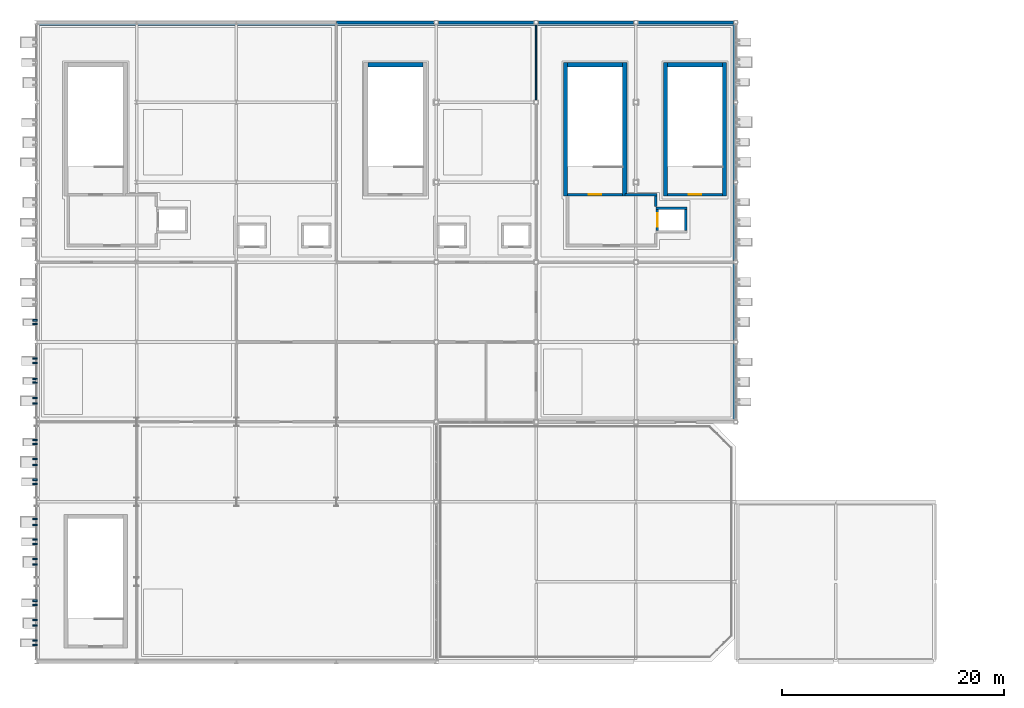
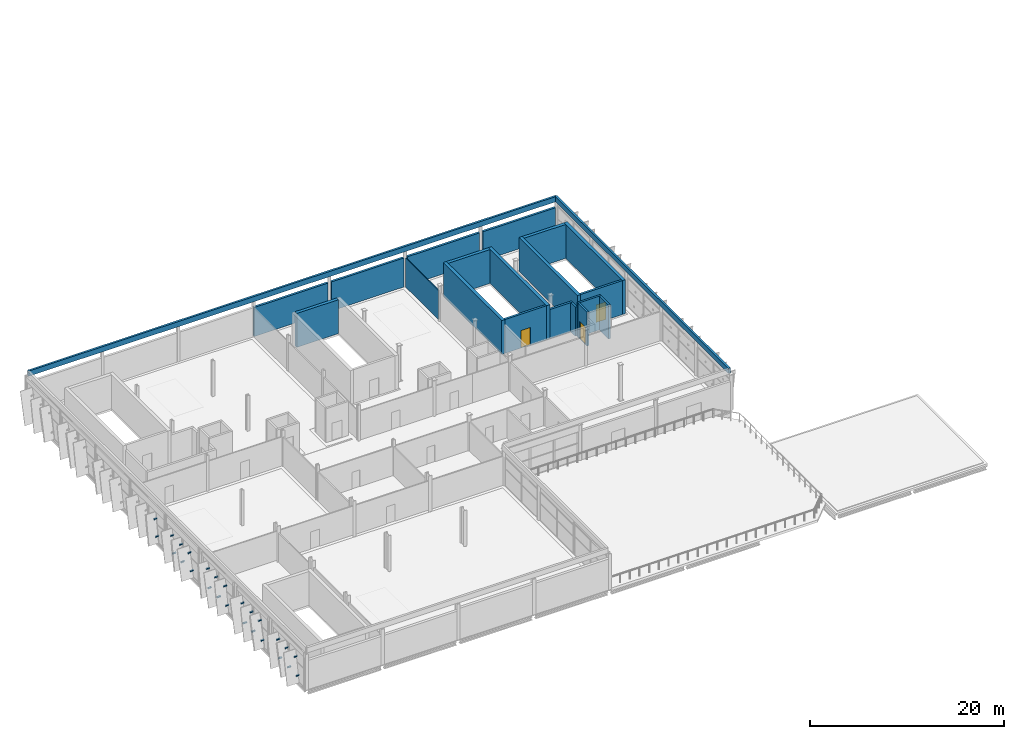
# One storey, part 48 of 52: 26 discrete accessories, 21 walls, 3 doors, 3 openings.
"""IFC4 building model written with IfcOpenShell, lengths in metres."""

from ifc_helpers import new_model, si_unit, direction, frame, frame_2d, origin, origin_2d, place, context, subcontext, project, spatial, rectangle, extrude, material, layer, layer_set, type_object, element, fill, save


model = new_model("IFC4")

# Units and contexts
model_context = context("Model", 3, precision=1e-05, world=origin(), true_north=direction((0.0, 1.0)))
body_context = subcontext(model_context, "Body", "Model", "MODEL_VIEW")
ifc_project = project(units=[si_unit("LENGTHUNIT", "METRE"), si_unit("AREAUNIT", "SQUARE_METRE"), si_unit("VOLUMEUNIT", "CUBIC_METRE"), si_unit("PLANEANGLEUNIT", "RADIAN"), si_unit("MASSUNIT", "GRAM", prefix="KILO")], contexts=[model_context])

# Site, building, storey
site_placement = place(None, origin())
site = spatial("IfcSite", under=ifc_project, at=site_placement, CompositionType="ELEMENT")
building_placement = place(site_placement, origin())
building = spatial("IfcBuilding", under=site, at=building_placement, Name="Celestram Park Convention Centre", CompositionType="ELEMENT")
storey_placement = place(building_placement, frame((0.0, 0.0, 24.300048828125)))
storey = spatial("IfcBuildingStorey", under=building, at=storey_placement, Name="L05", CompositionType="ELEMENT", Elevation=24.300048828125)

# Wall, opening, door
ifc_material_1 = material(Name="Concrete Block Masonry C25/30", Category="masonry")
ifc_layer_1 = layer(ifc_material_1, 0.25)
ifc_layer_set_1 = layer_set([ifc_layer_1], Name="Concrete Block Masonry C25/30")
wall_type_1 = type_object("IfcWallType", Name="ARC-WL-COR250", PredefinedType="STANDARD", material=ifc_layer_set_1)
wall_1_placement = place(storey_placement, frame((83.840087890625, 150.074951171875, 0.0), z_axis=(0.0, 0.0, 1.0), x_axis=(1.0, 0.0, 0.0)))
wall_1 = element("IfcWall", 1, at=wall_1_placement, inside=storey, type_object=wall_type_1, Name="Core C2 stair entrance wall", PredefinedType="STANDARD", context=body_context, shape_type="SweptSolid", body=[
    extrude(rectangle(XDim=4.9599609375, YDim=0.25, at=frame_2d((2.47998046875, 0.0))), origin(), (0.0, 0.0, 1.0), 4.260009765625),
])
opening_1_placement = place(wall_1_placement, frame((1.905029296875, 0.0, 0.0)))
opening_1 = element("IfcOpeningElement", 2, at=opening_1_placement, cuts=wall_1, Name="Opening D-ST1", PredefinedType="OPENING", context=body_context, shape_type="SweptSolid", body=[
    extrude(rectangle(XDim=1.14990234375, YDim=2.199951171875, at=frame_2d((0.574951171875, 1.10009765625))), frame((0.0, 0.135009765625, 0.0), z_axis=(0.0, -1.0, 0.0), x_axis=(1.0, 0.0, 0.0)), (0.0, 0.0, 1.0), 0.27001953125),
])
ifc_material_2 = material(Name="Fire-Rated Hollow Metal Steel ASTM A653", Category="steel")
door_type_1 = type_object("IfcDoorType", Name="ARC-DR-ST115", OperationType="NOTDEFINED", PredefinedType="DOOR", material=ifc_material_2)
door_1_placement = place(opening_1_placement, origin())
door_1 = element("IfcDoor", 3, at=door_1_placement, inside=storey, type_object=door_type_1, Name="Exit stair ST-02 fire door", OperationType="SINGLE_SWING_RIGHT", OverallHeight=2.199951171875, OverallWidth=1.14990234375, PredefinedType="DOOR", context=body_context, shape_type="SweptSolid", body=[
    extrude(rectangle(XDim=1.14990234375, YDim=2.199951171875, at=frame_2d((0.574951171875, 1.10009765625))), frame((0.0, 0.02490234375, 0.0), z_axis=(0.0, -1.0, 0.0), x_axis=(1.0, 0.0, 0.0)), (0.0, 0.0, 1.0), 0.050048828125),
])
fill(opening_1, door_1)

wall_2_placement = place(storey_placement, frame((92.840087890625, 150.074951171875, 0.0), z_axis=(0.0, 0.0, 1.0), x_axis=(1.0, 0.0, 0.0)))
wall_2 = element("IfcWall", 4, at=wall_2_placement, inside=storey, type_object=wall_type_1, Name="Core S19 stair entrance wall", PredefinedType="STANDARD", context=body_context, shape_type="SweptSolid", body=[
    extrude(rectangle(XDim=4.9599609375, YDim=0.25, at=frame_2d((2.47998046875, 0.0))), origin(), (0.0, 0.0, 1.0), 4.260009765625),
])
opening_2_placement = place(wall_2_placement, frame((1.905029296875, 0.0, 0.0)))
opening_2 = element("IfcOpeningElement", 5, at=opening_2_placement, cuts=wall_2, Name="Opening D-ST1", PredefinedType="OPENING", context=body_context, shape_type="SweptSolid", body=[
    extrude(rectangle(XDim=1.14990234375, YDim=2.199951171875, at=frame_2d((0.574951171875, 1.10009765625))), frame((0.0, 0.135009765625, 0.0), z_axis=(0.0, -1.0, 0.0), x_axis=(1.0, 0.0, 0.0)), (0.0, 0.0, 1.0), 0.27001953125),
])
door_2_placement = place(opening_2_placement, origin())
door_2 = element("IfcDoor", 6, at=door_2_placement, inside=storey, type_object=door_type_1, Name="Exit stair ST-19 fire door", OperationType="SINGLE_SWING_LEFT", OverallHeight=2.199951171875, OverallWidth=1.14990234375, PredefinedType="DOOR", context=body_context, shape_type="SweptSolid", body=[
    extrude(rectangle(XDim=1.14990234375, YDim=2.199951171875, at=frame_2d((0.574951171875, 1.10009765625))), frame((0.0, 0.02490234375, 0.0), z_axis=(0.0, -1.0, 0.0), x_axis=(1.0, 0.0, 0.0)), (0.0, 0.0, 1.0), 0.050048828125),
])
fill(opening_2, door_2)

# Walls
wall_3_placement = place(storey_placement, frame((91.780029296875, 149.0, 0.0), z_axis=(0.0, 0.0, 1.0), x_axis=(0.0, 1.0, 0.0)))
element("IfcWall", 7, at=wall_3_placement, inside=storey, type_object=wall_type_1, Name="Firefighting Lift Lobby C2 EN wall", PredefinedType="STANDARD", context=body_context, shape_type="SweptSolid", body=[
    extrude(rectangle(XDim=0.949951171875, YDim=0.25, at=frame_2d((0.47509765625, 0.0))), origin(), (0.0, 0.0, 1.0), 3.64794921875),
])
wall_4_placement = place(storey_placement, frame((89.0, 150.074951171875, 0.0), z_axis=(0.0, 0.0, 1.0), x_axis=(1.0, 0.0, 0.0)))
element("IfcWall", 8, at=wall_4_placement, inside=storey, type_object=wall_type_1, Name="Firefighting Lift Lobby C2 N wall", PredefinedType="STANDARD", context=body_context, shape_type="SweptSolid", body=[
    extrude(rectangle(XDim=2.905029296875, YDim=0.25, at=frame_2d((1.45263671875, 0.0))), origin(), (0.0, 0.0, 1.0), 3.64794921875),
])
ifc_material_3 = material(Name="Precast Concrete C40/50", Category="concrete")
ifc_layer_2 = layer(ifc_material_3, 0.260009765625)
ifc_layer_set_2 = layer_set([ifc_layer_2], Name="Precast Concrete C40/50")
wall_type_2 = type_object("IfcWallType", Name="ARC-WL-EXT260", PredefinedType="STANDARD", material=ifc_layer_set_2)
wall_5_placement = place(storey_placement, frame((63.0048828125, 165.60009765625, 0.0), z_axis=(0.0, 0.0, 1.0), x_axis=(1.0, 0.0, 0.0)))
element("IfcWall", 9, at=wall_5_placement, inside=storey, type_object=wall_type_2, Name="Bush-hammered precast exterior wall WL-L05-EW242", PredefinedType="STANDARD", context=body_context, shape_type="SweptSolid", body=[
    extrude(rectangle(XDim=8.796142578125, YDim=0.260009765625, at=frame_2d((4.39794921875, 0.0))), origin(), (0.0, 0.0, 1.0), 3.64794921875),
])
for number, where, z_axis, x_axis, name in (
    (10, (72.198974609375, 165.60009765625, 0.0), (0.0, 0.0, 1.0), (1.0, 0.0, 0.0), "Bush-hammered precast exterior wall WL-L05-EW243"),
    (11, (81.198974609375, 165.60009765625, 0.0), (0.0, 0.0, 1.0), (1.0, 0.0, 0.0), "Bush-hammered precast exterior wall WL-L05-EW244"),
    (12, (90.198974609375, 165.60009765625, 0.0), (0.0, 0.0, 1.0), (1.0, 0.0, 0.0), "Bush-hammered precast exterior wall WL-L05-EW245"),
):
    element("IfcWall", number, at=place(storey_placement, frame(where, z_axis=z_axis, x_axis=x_axis)), inside=storey, type_object=wall_type_2, Name=name, PredefinedType="STANDARD", context=body_context, shape_type="SweptSolid", body=[
        extrude(rectangle(XDim=8.60205078125, YDim=0.260009765625, at=frame_2d((4.301025390625, 0.0))), origin(), (0.0, 0.0, 1.0), 3.64794921875),
    ])
ifc_layer_3 = layer(ifc_material_3, 0.239990234375)
ifc_layer_set_3 = layer_set([ifc_layer_3], Name="Precast Concrete C40/50")
wall_type_3 = type_object("IfcWallType", Name="ARC-WL-PAR240", PredefinedType="PARAPET", material=ifc_layer_set_3)
wall_6_placement = place(storey_placement, frame((36.139892578125, 165.4599609375, 4.5), z_axis=(0.0, 0.0, 1.0), x_axis=(1.0, 0.0, 0.0)))
element("IfcWall", 13, at=wall_6_placement, inside=storey, type_object=wall_type_3, Name="Flat roof parapet WL-L05-PR15", PredefinedType="PARAPET", context=body_context, shape_type="SweptSolid", body=[
    extrude(rectangle(XDim=62.72021484375, YDim=0.239990234375, at=frame_2d((31.360107421875, 0.0))), origin(), (0.0, 0.0, 1.0), 0.64990234375),
])
wall_7_placement = place(storey_placement, frame((98.860107421875, 165.4599609375, 4.5), z_axis=(0.0, 0.0, 1.0), x_axis=(0.0, -1.0, 0.0)))
element("IfcWall", 14, at=wall_7_placement, inside=storey, type_object=wall_type_3, Name="Flat roof parapet WL-L05-PR16", PredefinedType="PARAPET", context=body_context, shape_type="SweptSolid", body=[
    extrude(rectangle(XDim=35.719970703125, YDim=0.239990234375, at=frame_2d((17.85986328125, 0.0))), origin(), (0.0, 0.0, 1.0), 0.64990234375),
])
ifc_material_4 = material(Name="Standard Gypsum & Steel Stud 120 mm", Category="steel")
ifc_layer_4 = layer(ifc_material_4, 0.1201171875)
ifc_layer_set_4 = layer_set([ifc_layer_4], Name="Standard Gypsum & Steel Stud 120 mm")
wall_type_4 = type_object("IfcWallType", Name="ARC-WL-PRT120", PredefinedType="PARTITIONING", material=ifc_layer_set_4)
wall_8_placement = place(storey_placement, frame((81.0, 158.59912109375, 0.0), z_axis=(0.0, 0.0, 1.0), x_axis=(0.0, 1.0, 0.0)))
element("IfcWall", 15, at=wall_8_placement, inside=storey, type_object=wall_type_4, Name="Interior partition WL-L05-IN1015", PredefinedType="PARTITIONING", context=body_context, shape_type="SweptSolid", body=[
    extrude(rectangle(XDim=6.8017578125, YDim=0.1201171875, at=frame_2d((3.40087890625, 0.0))), origin(), (0.0, 0.0, 1.0), 3.64794921875),
])
ifc_layer_5 = layer(ifc_material_1, 0.219970703125)
ifc_layer_set_5 = layer_set([ifc_layer_5], Name="Concrete Block Masonry C25/30")
wall_type_5 = type_object("IfcWallType", Name="ARC-WL-SHF220", PredefinedType="STANDARD", material=ifc_layer_set_5)
wall_9_placement = place(storey_placement, frame((94.580078125, 148.844970703125, 0.0), z_axis=(0.0, 0.0, 1.0), x_axis=(-1.0, 0.0, 0.0)))
element("IfcWall", 16, at=wall_9_placement, inside=storey, type_object=wall_type_5, Name="Lift LF-02 shaft wall N", PredefinedType="STANDARD", context=body_context, shape_type="SweptSolid", body=[
    extrude(rectangle(XDim=2.760009765625, YDim=0.219970703125, at=frame_2d((1.3798828125, 0.0))), origin(), (0.0, 0.0, 1.0), 4.260009765625),
])

# Wall, opening, door
wall_10_placement = place(storey_placement, frame((91.929931640625, 148.735107421875, 0.0), z_axis=(0.0, 0.0, 1.0), x_axis=(0.0, -1.0, 0.0)))
wall_10 = element("IfcWall", 17, at=wall_10_placement, inside=storey, type_object=wall_type_5, Name="Lift LF-02 shaft wall W", PredefinedType="STANDARD", context=body_context, shape_type="SweptSolid", body=[
    extrude(rectangle(XDim=1.8701171875, YDim=0.219970703125, at=frame_2d((0.93505859375, 0.0))), origin(), (0.0, 0.0, 1.0), 4.260009765625),
])
opening_3_placement = place(wall_10_placement, frame((0.3349609375, 0.0, 0.0)))
opening_3 = element("IfcOpeningElement", 18, at=opening_3_placement, cuts=wall_10, Name="Opening LD-01", PredefinedType="OPENING", context=body_context, shape_type="SweptSolid", body=[
    extrude(rectangle(XDim=1.199951171875, YDim=2.199951171875, at=frame_2d((0.60009765625, 1.10009765625))), frame((0.0, 0.119873046875, 0.0), z_axis=(0.0, -1.0, 0.0), x_axis=(1.0, 0.0, 0.0)), (0.0, 0.0, 1.0), 0.239990234375),
])
ifc_material_5 = material(Name="Brushed Stainless Steel AISI 304", Category="steel")
door_type_2 = type_object("IfcDoorType", Name="ARC-DR-LFT120", OperationType="NOTDEFINED", PredefinedType="DOOR", material=ifc_material_5)
door_3_placement = place(opening_3_placement, origin())
door_3 = element("IfcDoor", 19, at=door_3_placement, inside=storey, type_object=door_type_2, Name="Lift LF-02 sliding landing door", OperationType="DOUBLE_DOOR_SLIDING", OverallHeight=2.199951171875, OverallWidth=1.199951171875, PredefinedType="DOOR", context=body_context, shape_type="SweptSolid", body=[
    extrude(rectangle(XDim=1.199951171875, YDim=2.199951171875, at=frame_2d((0.60009765625, 1.10009765625))), frame((0.0, 0.02490234375, 0.0), z_axis=(0.0, -1.0, 0.0), x_axis=(1.0, 0.0, 0.0)), (0.0, 0.0, 1.0), 0.050048828125),
])
fill(opening_3, door_3)

# Walls
wall_11_placement = place(storey_placement, frame((94.469970703125, 146.864990234375, 0.0), z_axis=(0.0, 0.0, 1.0), x_axis=(0.0, 1.0, 0.0)))
element("IfcWall", 20, at=wall_11_placement, inside=storey, type_object=wall_type_5, Name="Lift LF-02 shaft wall E", PredefinedType="STANDARD", context=body_context, shape_type="SweptSolid", body=[
    extrude(rectangle(XDim=1.8701171875, YDim=0.219970703125, at=frame_2d((0.93505859375, 0.0))), origin(), (0.0, 0.0, 1.0), 4.260009765625),
])
ifc_material_6 = material(Name="Concrete C40/50", Category="concrete")
ifc_layer_6 = layer(ifc_material_6, 0.3798828125)
ifc_layer_set_6 = layer_set([ifc_layer_6], Name="Concrete C40/50")
wall_type_6 = type_object("IfcWallType", Name="STR-WL-SHR380", PredefinedType="SHEAR", material=ifc_layer_set_6)
for number, where, z_axis, x_axis, name in (
    (21, (83.64990234375, 149.949951171875, 0.0), (0.0, 0.0, 1.0), (0.0, 1.0, 0.0), "Core C2 shear wall L"),
    (22, (88.989990234375, 161.97998046875, 0.0), (0.0, 0.0, 1.0), (0.0, -1.0, 0.0), "Core C2 shear wall R"),
):
    element("IfcWall", number, at=place(storey_placement, frame(where, z_axis=z_axis, x_axis=x_axis)), inside=storey, type_object=wall_type_6, Name=name, PredefinedType="SHEAR", context=body_context, shape_type="SweptSolid", body=[
        extrude(rectangle(XDim=12.030029296875, YDim=0.3798828125, at=frame_2d((6.01513671875, 0.0))), origin(), (0.0, 0.0, 1.0), 4.260009765625),
    ])
for number, where, z_axis, x_axis, name in (
    (23, (83.840087890625, 161.7900390625, 0.0), (0.0, 0.0, 1.0), (1.0, 0.0, 0.0), "Core C2 shear wall F"),
    (24, (65.840087890625, 161.7900390625, 0.0), (0.0, 0.0, 1.0), (1.0, 0.0, 0.0), "Core S14 shear wall F"),
):
    element("IfcWall", number, at=place(storey_placement, frame(where, z_axis=z_axis, x_axis=x_axis)), inside=storey, type_object=wall_type_6, Name=name, PredefinedType="SHEAR", context=body_context, shape_type="SweptSolid", body=[
        extrude(rectangle(XDim=4.9599609375, YDim=0.3798828125, at=frame_2d((2.47998046875, 0.0))), origin(), (0.0, 0.0, 1.0), 4.260009765625),
    ])
for number, where, z_axis, x_axis, name in (
    (25, (92.64990234375, 149.949951171875, 0.0), (0.0, 0.0, 1.0), (0.0, 1.0, 0.0), "Core S19 shear wall L"),
    (26, (97.989990234375, 161.97998046875, 0.0), (0.0, 0.0, 1.0), (0.0, -1.0, 0.0), "Core S19 shear wall R"),
):
    element("IfcWall", number, at=place(storey_placement, frame(where, z_axis=z_axis, x_axis=x_axis)), inside=storey, type_object=wall_type_6, Name=name, PredefinedType="SHEAR", context=body_context, shape_type="SweptSolid", body=[
        extrude(rectangle(XDim=12.030029296875, YDim=0.3798828125, at=frame_2d((6.01513671875, 0.0))), origin(), (0.0, 0.0, 1.0), 4.260009765625),
    ])
wall_12_placement = place(storey_placement, frame((92.840087890625, 161.7900390625, 0.0), z_axis=(0.0, 0.0, 1.0), x_axis=(1.0, 0.0, 0.0)))
element("IfcWall", 27, at=wall_12_placement, inside=storey, type_object=wall_type_6, Name="Core S19 shear wall F", PredefinedType="SHEAR", context=body_context, shape_type="SweptSolid", body=[
    extrude(rectangle(XDim=4.9599609375, YDim=0.3798828125, at=frame_2d((2.47998046875, 0.0))), origin(), (0.0, 0.0, 1.0), 4.260009765625),
])

# Discrete accessories
ifc_material_7 = material(Name="Steel ASTM A500 Grade C", Category="steel")
discrete_accessory_type = type_object("IfcDiscreteAccessoryType", Name="ARC-BRK-OUT400", PredefinedType="BRACKET", material=ifc_material_7)
for number, where, z_axis, x_axis, name in (
    (28, (35.85009765625, 109.50341796875, 0.8095703125), (0.0, 0.0, 1.0), (-1.0, 0.0, 0.0), "Solar fin outrigger bracket BK-L05-1517"),
    (29, (35.85009765625, 109.897216796875, 2.95458984375), (0.0, 0.0, 1.0), (-1.0, 0.0, 0.0), "Solar fin outrigger bracket BK-L05-1518"),
    (30, (35.85009765625, 111.24755859375, 0.8212890625), (0.0, 0.0, 1.0), (-1.0, 0.0, 0.0), "Solar fin outrigger bracket BK-L05-1519"),
    (31, (35.85009765625, 111.7529296875, 2.9423828125), (0.0, 0.0, 1.0), (-1.0, 0.0, 0.0), "Solar fin outrigger bracket BK-L05-1520"),
    (32, (35.85009765625, 113.11474609375, 0.8076171875), (0.0, 0.0, 1.0), (-1.0, 0.0, 0.0), "Solar fin outrigger bracket BK-L05-1521"),
    (33, (35.85009765625, 113.48583984375, 2.95654296875), (0.0, 0.0, 1.0), (-1.0, 0.0, 0.0), "Solar fin outrigger bracket BK-L05-1522"),
    (34, (35.85009765625, 116.740478515625, 0.845703125), (0.0, 0.0, 1.0), (-1.0, 0.0, 0.0), "Solar fin outrigger bracket BK-L05-1523"),
    (35, (35.85009765625, 117.259521484375, 3.0244140625), (0.0, 0.0, 1.0), (-1.0, 0.0, 0.0), "Solar fin outrigger bracket BK-L05-1524"),
    (36, (35.85009765625, 118.609375, 0.83154296875), (0.0, 0.0, 1.0), (-1.0, 0.0, 0.0), "Solar fin outrigger bracket BK-L05-1525"),
    (37, (35.85009765625, 118.990478515625, 3.03857421875), (0.0, 0.0, 1.0), (-1.0, 0.0, 0.0), "Solar fin outrigger bracket BK-L05-1526"),
    (38, (35.85009765625, 120.332763671875, 0.84716796875), (0.0, 0.0, 1.0), (-1.0, 0.0, 0.0), "Solar fin outrigger bracket BK-L05-1527"),
    (39, (35.85009765625, 120.8671875, 3.0224609375), (0.0, 0.0, 1.0), (-1.0, 0.0, 0.0), "Solar fin outrigger bracket BK-L05-1528"),
    (40, (35.85009765625, 124.009521484375, 0.83154296875), (0.0, 0.0, 1.0), (-1.0, 0.0, 0.0), "Solar fin outrigger bracket BK-L05-1529"),
    (41, (35.85009765625, 124.390625, 3.03857421875), (0.0, 0.0, 1.0), (-1.0, 0.0, 0.0), "Solar fin outrigger bracket BK-L05-1530"),
    (42, (35.85009765625, 125.73291015625, 0.84716796875), (0.0, 0.0, 1.0), (-1.0, 0.0, 0.0), "Solar fin outrigger bracket BK-L05-1531"),
    (43, (35.85009765625, 126.26708984375, 3.0224609375), (0.0, 0.0, 1.0), (-1.0, 0.0, 0.0), "Solar fin outrigger bracket BK-L05-1532"),
    (44, (35.85009765625, 127.620849609375, 0.82958984375), (0.0, 0.0, 1.0), (-1.0, 0.0, 0.0), "Solar fin outrigger bracket BK-L05-1533"),
    (45, (35.85009765625, 127.97900390625, 3.04052734375), (0.0, 0.0, 1.0), (-1.0, 0.0, 0.0), "Solar fin outrigger bracket BK-L05-1534"),
    (46, (35.85009765625, 131.273193359375, 0.7646484375), (0.0, 0.0, 1.0), (-1.0, 0.0, 0.0), "Solar fin outrigger bracket BK-L05-1535"),
    (47, (35.85009765625, 131.75927734375, 2.7431640625), (0.0, 0.0, 1.0), (-1.0, 0.0, 0.0), "Solar fin outrigger bracket BK-L05-1536"),
    (48, (35.85009765625, 133.1533203125, 0.74853515625), (0.0, 0.0, 1.0), (-1.0, 0.0, 0.0), "Solar fin outrigger bracket BK-L05-1537"),
    (49, (35.85009765625, 133.47900390625, 2.75927734375), (0.0, 0.0, 1.0), (-1.0, 0.0, 0.0), "Solar fin outrigger bracket BK-L05-1538"),
    (50, (35.85009765625, 134.902587890625, 0.7578125), (0.0, 0.0, 1.0), (-1.0, 0.0, 0.0), "Solar fin outrigger bracket BK-L05-1539"),
    (51, (35.85009765625, 135.329833984375, 2.75), (0.0, 0.0, 1.0), (-1.0, 0.0, 0.0), "Solar fin outrigger bracket BK-L05-1540"),
    (52, (35.85009765625, 138.43701171875, 0.74853515625), (0.0, 0.0, 1.0), (-1.0, 0.0, 0.0), "Solar fin outrigger bracket BK-L05-1541"),
    (53, (35.85009765625, 138.762939453125, 2.75927734375), (0.0, 0.0, 1.0), (-1.0, 0.0, 0.0), "Solar fin outrigger bracket BK-L05-1542"),
):
    element("IfcDiscreteAccessory", number, at=place(storey_placement, frame(where, z_axis=z_axis, x_axis=x_axis)), inside=storey, type_object=discrete_accessory_type, Name=name, PredefinedType="BRACKET", context=body_context, shape_type="SweptSolid", body=[
        extrude(rectangle(XDim=0.39990234375, YDim=0.139892578125, at=origin_2d()), origin(), (0.0, 0.0, 1.0), 0.139892578125),
    ])

save(model, "model.ifc")
